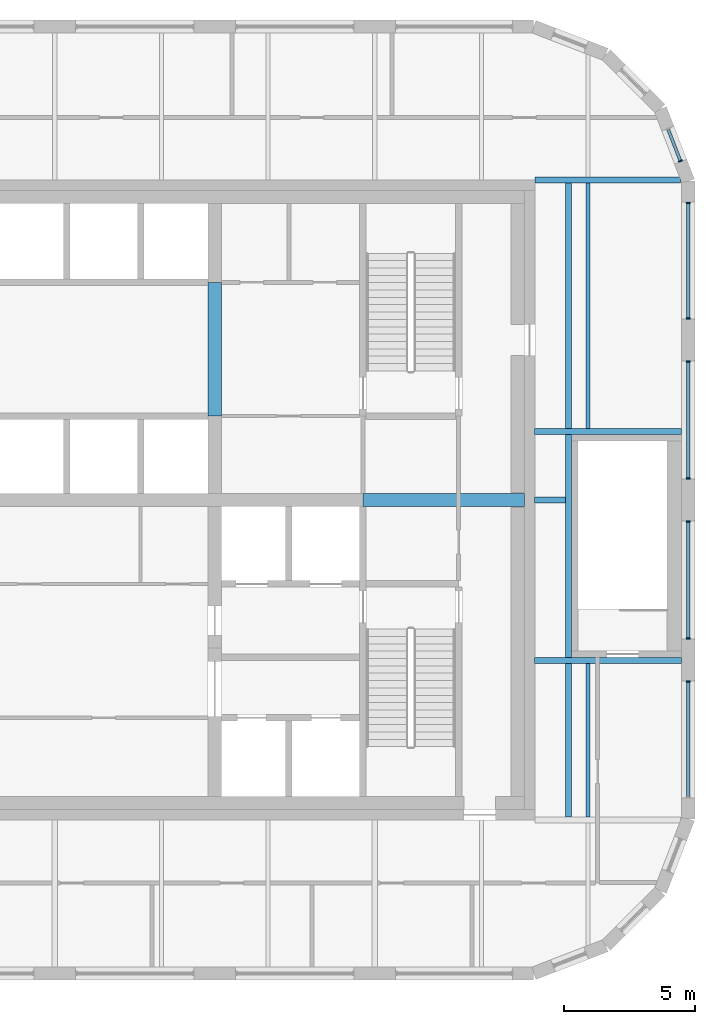
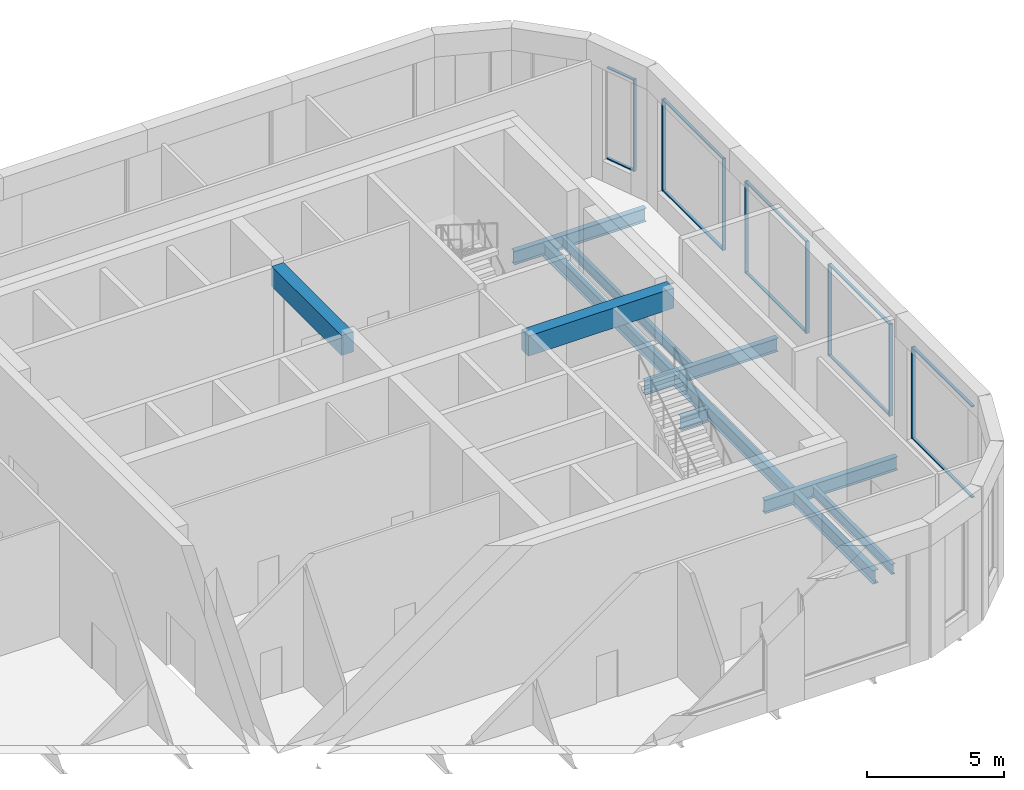
# One storey, part 7 of 19: 18 members, 9 beams, 5 elements without a shape of their own.
"""IFC4 building model written with IfcOpenShell, lengths in metres."""

from ifc_helpers import new_model, si_unit, direction, frame, origin, origin_2d, place, context, subcontext, project, spatial, rectangle, i_section, extrude, material, material_profile, profile_set, type_object, element, aggregate, save


model = new_model("IFC4")

# Units and contexts
model_context = context("Model", 3, precision=1e-05, world=origin(), true_north=direction((0.0, 1.0)))
body_context = subcontext(model_context, "Body", "Model", "MODEL_VIEW")
ifc_project = project(units=[si_unit("LENGTHUNIT", "METRE"), si_unit("AREAUNIT", "SQUARE_METRE"), si_unit("VOLUMEUNIT", "CUBIC_METRE"), si_unit("PLANEANGLEUNIT", "RADIAN"), si_unit("MASSUNIT", "GRAM", prefix="KILO")], contexts=[model_context])

# Site, building, storey
site_placement = place(None, origin())
site = spatial("IfcSite", under=ifc_project, at=site_placement, CompositionType="ELEMENT")
building_placement = place(site_placement, origin())
building = spatial("IfcBuilding", under=site, at=building_placement, Name="Tessera Gate Towers", CompositionType="ELEMENT")
storey_placement = place(building_placement, frame((0.0, 0.0, 259.699951171875)))
storey = spatial("IfcBuildingStorey", under=building, at=storey_placement, Name="L65", CompositionType="ELEMENT", Elevation=259.699951171875)

# Beams
ifc_material_1 = material(Name="Concrete C40/50", Category="concrete")
ifc_material_profile_1 = material_profile(ifc_material_1, rectangle(XDim=0.5, YDim=0.89990234375, at=origin_2d()), Name="RC 500x900")
ifc_profile_set_1 = profile_set([ifc_material_profile_1], Name="Concrete C40/50")
beam_type_1 = type_object("IfcBeamType", Name="COUPLING BEAM 500x900 C40/50", PredefinedType="BEAM", material=ifc_profile_set_1)
beam_1_placement = place(storey_placement, frame((48.35009765625, 36.60009765625, 5.300048828125), z_axis=(1.0, 0.0, 0.0), x_axis=(0.0, 1.0, 0.0)))
element("IfcBeam", 1, at=beam_1_placement, inside=storey, type_object=beam_type_1, Name="L65 coupling beam 1", PredefinedType="BEAM", context=body_context, shape_type="SweptSolid", body=[
    extrude(rectangle(XDim=0.5, YDim=0.89990234375, at=origin_2d()), origin(), (0.0, 0.0, 1.0), 6.14990234375),
])
beam_2_placement = place(storey_placement, frame((42.699951171875, 39.800048828125, 5.300048828125), z_axis=(0.0, 1.0, 0.0), x_axis=(-1.0, 0.0, 0.0)))
element("IfcBeam", 2, at=beam_2_placement, inside=storey, type_object=beam_type_1, Name="L65 coupling beam 2", PredefinedType="BEAM", context=body_context, shape_type="SweptSolid", body=[
    extrude(rectangle(XDim=0.5, YDim=0.89990234375, at=origin_2d()), origin(), (0.0, 0.0, 1.0), 5.099853515625),
])
ifc_material_2 = material(Name="Steel 350W", Category="steel")
ifc_material_profile_2 = material_profile(ifc_material_2, i_section(OverallWidth=0.22802734375, OverallDepth=0.60302734375, WebThickness=0.010498046875, FlangeThickness=0.014892578125, at=origin_2d()), Name="W610x101")
ifc_profile_set_2 = profile_set([ifc_material_profile_2], Name="Steel 350W")
beam_type_2 = type_object("IfcBeamType", Name="FLOOR GIRDER W610x101", PredefinedType="BEAM", material=ifc_profile_set_2)
beam_3_placement = place(storey_placement, frame((54.89892578125, 36.60009765625, -0.551513671875), z_axis=(1.0, 0.0, 0.0), x_axis=(0.0, 1.0, 0.0)))
element("IfcBeam", 3, at=beam_3_placement, inside=storey, type_object=beam_type_2, Name="T1-GD-L65-6315", PredefinedType="BEAM", context=body_context, shape_type="SweptSolid", body=[
    extrude(i_section(OverallWidth=0.22802734375, OverallDepth=0.60302734375, WebThickness=0.010498046875, FlangeThickness=0.014892578125, at=origin_2d()), origin(), (0.0, 0.0, 1.0), 1.1669921875),
])
beam_4_placement = place(storey_placement, frame((54.90087890625, 48.800048828125, -0.551513671875), z_axis=(1.0, 0.0, 0.0), x_axis=(0.0, 1.0, 0.0)))
element("IfcBeam", 4, at=beam_4_placement, inside=storey, type_object=beam_type_2, Name="T1-GD-L65-6319", PredefinedType="BEAM", context=body_context, shape_type="SweptSolid", body=[
    extrude(i_section(OverallWidth=0.22802734375, OverallDepth=0.60302734375, WebThickness=0.010498046875, FlangeThickness=0.014892578125, at=origin_2d()), origin(), (0.0, 0.0, 1.0), 5.564208984375),
])
for number, where, z_axis, x_axis, name in (
    (5, (54.89892578125, 30.47998046875, -0.551513671875), (1.0, 0.0, 0.0), (0.0, 1.0, 0.0), "T1-GD-L65-6332"),
    (6, (54.89892578125, 39.219970703125, -0.551513671875), (1.0, 0.0, 0.0), (0.0, 1.0, 0.0), "T1-GD-L65-6333"),
):
    element("IfcBeam", number, at=place(storey_placement, frame(where, z_axis=z_axis, x_axis=x_axis)), inside=storey, type_object=beam_type_2, Name=name, PredefinedType="BEAM", context=body_context, shape_type="SweptSolid", body=[
        extrude(i_section(OverallWidth=0.22802734375, OverallDepth=0.60302734375, WebThickness=0.010498046875, FlangeThickness=0.014892578125, at=origin_2d()), origin(), (0.0, 0.0, 1.0), 5.60205078125),
    ])
beam_5_placement = place(storey_placement, frame((56.179931640625, 24.513916015625, -0.551513671875), z_axis=(0.0, 1.0, 0.0), x_axis=(-1.0, 0.0, 0.0)))
element("IfcBeam", 7, at=beam_5_placement, inside=storey, type_object=beam_type_2, Name="T1-GD-L65-6334", PredefinedType="BEAM", context=body_context, shape_type="SweptSolid", body=[
    extrude(i_section(OverallWidth=0.22802734375, OverallDepth=0.60302734375, WebThickness=0.010498046875, FlangeThickness=0.014892578125, at=origin_2d()), origin(), (0.0, 0.0, 1.0), 24.172119140625),
])
ifc_material_3 = material(Name="Steel 350W", Category="steel")
ifc_material_profile_3 = material_profile(ifc_material_3, i_section(OverallWidth=0.153076171875, OverallDepth=0.455078125, WebThickness=0.008056640625, FlangeThickness=0.01318359375, at=origin_2d()), Name="W460x60")
ifc_profile_set_3 = profile_set([ifc_material_profile_3], Name="Steel 350W")
beam_type_3 = type_object("IfcBeamType", Name="FLOOR SECONDARY W460x60", PredefinedType="BEAM", material=ifc_profile_set_3)
beam_6_placement = place(storey_placement, frame((56.933349609375, 24.513916015625, -0.4775390625), z_axis=(0.0, 1.0, 0.0), x_axis=(-1.0, 0.0, 0.0)))
element("IfcBeam", 8, at=beam_6_placement, inside=storey, type_object=beam_type_3, Name="T1-BM-L65-6366", PredefinedType="BEAM", context=body_context, shape_type="SweptSolid", body=[
    extrude(i_section(OverallWidth=0.153076171875, OverallDepth=0.455078125, WebThickness=0.008056640625, FlangeThickness=0.01318359375, at=origin_2d()), origin(), (0.0, 0.0, 1.0), 5.85205078125),
])
beam_7_placement = place(storey_placement, frame((56.933349609375, 39.333984375, -0.4775390625), z_axis=(0.0, 1.0, 0.0), x_axis=(-1.0, 0.0, 0.0)))
element("IfcBeam", 9, at=beam_7_placement, inside=storey, type_object=beam_type_3, Name="T1-BM-L65-6367", PredefinedType="BEAM", context=body_context, shape_type="SweptSolid", body=[
    extrude(i_section(OverallWidth=0.153076171875, OverallDepth=0.455078125, WebThickness=0.008056640625, FlangeThickness=0.01318359375, at=origin_2d()), origin(), (0.0, 0.0, 1.0), 9.35205078125),
])

# Curtain wall, member
ifc_material_4 = material(Name="Aluminium frame", Category="aluminium")
curtain_wall_type = type_object("IfcCurtainWallType", Name="CW-S4 observation glass", PredefinedType="NOTDEFINED", material=ifc_material_4)
curtain_wall_1_placement = place(storey_placement, origin())
curtain_wall_1 = element("IfcCurtainWall", 10, at=curtain_wall_1_placement, inside=storey, type_object=curtain_wall_type, Name="Curtain wall observation glass 0097", PredefinedType="NOTDEFINED")
ifc_material_5 = material(Name="Aluminium frame", Category="aluminium")
ifc_material_profile_4 = material_profile(ifc_material_5, rectangle(XDim=0.050048828125, YDim=0.14990234375, at=origin_2d()), Name="AL 50x150")
ifc_profile_set_4 = profile_set([ifc_material_profile_4], Name="Aluminium frame")
member_type_1 = type_object("IfcMemberType", Name="MU-S4 mullion 50x150", PredefinedType="MULLION", material=ifc_profile_set_4)
member_1_placement = place(storey_placement, frame((60.75, 29.675048828125, 0.900146484375), z_axis=(0.0, 0.0, 1.0), x_axis=(0.0, 1.0, 0.0)))
member_1 = element("IfcMember", 11, at=member_1_placement, type_object=member_type_1, Name="T1-CW4-0097 mullion 2", PredefinedType="MULLION", context=body_context, shape_type="SweptSolid", body=[
    extrude(rectangle(XDim=0.050048828125, YDim=0.14990234375, at=origin_2d()), origin(), (0.0, 0.0, 1.0), 4.099853515625),
])

# Curtain wall, members
curtain_wall_2_placement = place(storey_placement, origin())
curtain_wall_2 = element("IfcCurtainWall", 12, at=curtain_wall_2_placement, inside=storey, type_object=curtain_wall_type, Name="Curtain wall observation glass 0098", PredefinedType="NOTDEFINED")
member_2_placement = place(storey_placement, frame((60.75, 31.324951171875, 0.900146484375), z_axis=(0.0, 0.0, 1.0), x_axis=(0.0, 1.0, 0.0)))
member_2 = element("IfcMember", 13, at=member_2_placement, type_object=member_type_1, Name="T1-CW4-0098 mullion 1", PredefinedType="MULLION", context=body_context, shape_type="SweptSolid", body=[
    extrude(rectangle(XDim=0.050048828125, YDim=0.14990234375, at=origin_2d()), origin(), (0.0, 0.0, 1.0), 4.099853515625),
])
member_3_placement = place(storey_placement, frame((60.75, 35.77490234375, 0.900146484375), z_axis=(0.0, 0.0, 1.0), x_axis=(0.0, 1.0, 0.0)))
member_3 = element("IfcMember", 14, at=member_3_placement, type_object=member_type_1, Name="T1-CW4-0098 mullion 2", PredefinedType="MULLION", context=body_context, shape_type="SweptSolid", body=[
    extrude(rectangle(XDim=0.050048828125, YDim=0.14990234375, at=origin_2d()), origin(), (0.0, 0.0, 1.0), 4.099853515625),
])

curtain_wall_3_placement = place(storey_placement, origin())
curtain_wall_3 = element("IfcCurtainWall", 15, at=curtain_wall_3_placement, inside=storey, type_object=curtain_wall_type, Name="Curtain wall observation glass 0099", PredefinedType="NOTDEFINED")
member_4_placement = place(storey_placement, frame((60.75, 37.425048828125, 0.900146484375), z_axis=(0.0, 0.0, 1.0), x_axis=(0.0, 1.0, 0.0)))
member_4 = element("IfcMember", 16, at=member_4_placement, type_object=member_type_1, Name="T1-CW4-0099 mullion 1", PredefinedType="MULLION", context=body_context, shape_type="SweptSolid", body=[
    extrude(rectangle(XDim=0.050048828125, YDim=0.14990234375, at=origin_2d()), origin(), (0.0, 0.0, 1.0), 4.099853515625),
])
member_5_placement = place(storey_placement, frame((60.75, 41.875, 0.900146484375), z_axis=(0.0, 0.0, 1.0), x_axis=(0.0, 1.0, 0.0)))
member_5 = element("IfcMember", 17, at=member_5_placement, type_object=member_type_1, Name="T1-CW4-0099 mullion 2", PredefinedType="MULLION", context=body_context, shape_type="SweptSolid", body=[
    extrude(rectangle(XDim=0.050048828125, YDim=0.14990234375, at=origin_2d()), origin(), (0.0, 0.0, 1.0), 4.099853515625),
])

curtain_wall_4_placement = place(storey_placement, origin())
curtain_wall_4 = element("IfcCurtainWall", 18, at=curtain_wall_4_placement, inside=storey, type_object=curtain_wall_type, Name="Curtain wall observation glass 0100", PredefinedType="NOTDEFINED")
member_6_placement = place(storey_placement, frame((60.75, 43.52490234375, 0.900146484375), z_axis=(0.0, 0.0, 1.0), x_axis=(0.0, 1.0, 0.0)))
member_6 = element("IfcMember", 19, at=member_6_placement, type_object=member_type_1, Name="T1-CW4-0100 mullion 1", PredefinedType="MULLION", context=body_context, shape_type="SweptSolid", body=[
    extrude(rectangle(XDim=0.050048828125, YDim=0.14990234375, at=origin_2d()), origin(), (0.0, 0.0, 1.0), 4.099853515625),
])
member_7_placement = place(storey_placement, frame((60.75, 47.928466796875, 0.900146484375), z_axis=(0.0, 0.0, 1.0), x_axis=(0.0, 1.0, 0.0)))
member_7 = element("IfcMember", 20, at=member_7_placement, type_object=member_type_1, Name="T1-CW4-0100 mullion 2", PredefinedType="MULLION", context=body_context, shape_type="SweptSolid", body=[
    extrude(rectangle(XDim=0.050048828125, YDim=0.14990234375, at=origin_2d()), origin(), (0.0, 0.0, 1.0), 4.099853515625),
])

# Curtain wall, member
curtain_wall_5_placement = place(storey_placement, origin())
curtain_wall_5 = element("IfcCurtainWall", 21, at=curtain_wall_5_placement, inside=storey, type_object=curtain_wall_type, Name="Curtain wall observation glass 0101", PredefinedType="NOTDEFINED")
member_8_placement = place(storey_placement, frame((60.453125, 49.523193359375, 0.900146484375), z_axis=(0.0, 0.0, 1.0), x_axis=(-0.359904070394, 0.932989314041, 0.0)))
member_8 = element("IfcMember", 22, at=member_8_placement, type_object=member_type_1, Name="T1-CW4-0101 mullion 1", PredefinedType="MULLION", context=body_context, shape_type="SweptSolid", body=[
    extrude(rectangle(XDim=0.050048828125, YDim=0.14990234375, at=origin_2d()), origin(), (0.0, 0.0, 1.0), 4.099853515625),
])

# Member
ifc_material_6 = material(Name="Aluminium frame", Category="aluminium")
ifc_material_profile_5 = material_profile(ifc_material_6, rectangle(XDim=0.1201171875, YDim=0.050048828125, at=origin_2d()), Name="AL 50x120")
ifc_profile_set_5 = profile_set([ifc_material_profile_5], Name="Aluminium frame")
member_type_2 = type_object("IfcMemberType", Name="TR-S4 transom 50x120", PredefinedType="USERDEFINED", material=ifc_profile_set_5)
member_9_placement = place(storey_placement, frame((60.75, 25.296630859375, 0.925048828125), z_axis=(0.0, 1.0, 0.0), x_axis=(-1.0, 0.0, 0.0)))
member_9 = element("IfcMember", 23, at=member_9_placement, type_object=member_type_2, Name="T1-CW4-0097 transom 1.1", ObjectType="TRANSOM", PredefinedType="USERDEFINED", context=body_context, shape_type="SweptSolid", body=[
    extrude(rectangle(XDim=0.1201171875, YDim=0.050048828125, at=origin_2d()), origin(), (0.0, 0.0, 1.0), 4.353271484375),
])

member_10_placement = place(storey_placement, frame((60.75, 25.296630859375, 4.97509765625), z_axis=(0.0, 1.0, 0.0), x_axis=(-1.0, 0.0, 0.0)))
member_10 = element("IfcMember", 24, at=member_10_placement, type_object=member_type_2, Name="T1-CW4-0097 transom 1.2", ObjectType="TRANSOM", PredefinedType="USERDEFINED", context=body_context, shape_type="SweptSolid", body=[
    extrude(rectangle(XDim=0.1201171875, YDim=0.050048828125, at=origin_2d()), origin(), (0.0, 0.0, 1.0), 4.353271484375),
])

aggregate(curtain_wall_1, [member_1, member_9, member_10])

member_11_placement = place(storey_placement, frame((60.75, 31.35009765625, 0.925048828125), z_axis=(0.0, 1.0, 0.0), x_axis=(-1.0, 0.0, 0.0)))
member_11 = element("IfcMember", 25, at=member_11_placement, type_object=member_type_2, Name="T1-CW4-0098 transom 1.1", ObjectType="TRANSOM", PredefinedType="USERDEFINED", context=body_context, shape_type="SweptSolid", body=[
    extrude(rectangle(XDim=0.1201171875, YDim=0.050048828125, at=origin_2d()), origin(), (0.0, 0.0, 1.0), 4.39990234375),
])

member_12_placement = place(storey_placement, frame((60.75, 31.35009765625, 4.97509765625), z_axis=(0.0, 1.0, 0.0), x_axis=(-1.0, 0.0, 0.0)))
member_12 = element("IfcMember", 26, at=member_12_placement, type_object=member_type_2, Name="T1-CW4-0098 transom 1.2", ObjectType="TRANSOM", PredefinedType="USERDEFINED", context=body_context, shape_type="SweptSolid", body=[
    extrude(rectangle(XDim=0.1201171875, YDim=0.050048828125, at=origin_2d()), origin(), (0.0, 0.0, 1.0), 4.39990234375),
])

aggregate(curtain_wall_2, [member_2, member_3, member_11, member_12])

member_13_placement = place(storey_placement, frame((60.75, 37.449951171875, 0.925048828125), z_axis=(0.0, 1.0, 0.0), x_axis=(-1.0, 0.0, 0.0)))
member_13 = element("IfcMember", 27, at=member_13_placement, type_object=member_type_2, Name="T1-CW4-0099 transom 1.1", ObjectType="TRANSOM", PredefinedType="USERDEFINED", context=body_context, shape_type="SweptSolid", body=[
    extrude(rectangle(XDim=0.1201171875, YDim=0.050048828125, at=origin_2d()), origin(), (0.0, 0.0, 1.0), 4.400146484375),
])

member_14_placement = place(storey_placement, frame((60.75, 37.449951171875, 4.97509765625), z_axis=(0.0, 1.0, 0.0), x_axis=(-1.0, 0.0, 0.0)))
member_14 = element("IfcMember", 28, at=member_14_placement, type_object=member_type_2, Name="T1-CW4-0099 transom 1.2", ObjectType="TRANSOM", PredefinedType="USERDEFINED", context=body_context, shape_type="SweptSolid", body=[
    extrude(rectangle(XDim=0.1201171875, YDim=0.050048828125, at=origin_2d()), origin(), (0.0, 0.0, 1.0), 4.400146484375),
])

aggregate(curtain_wall_3, [member_4, member_5, member_13, member_14])

member_15_placement = place(storey_placement, frame((60.75, 43.550048828125, 0.925048828125), z_axis=(0.0, 1.0, 0.0), x_axis=(-1.0, 0.0, 0.0)))
member_15 = element("IfcMember", 29, at=member_15_placement, type_object=member_type_2, Name="T1-CW4-0100 transom 1.1", ObjectType="TRANSOM", PredefinedType="USERDEFINED", context=body_context, shape_type="SweptSolid", body=[
    extrude(rectangle(XDim=0.1201171875, YDim=0.050048828125, at=origin_2d()), origin(), (0.0, 0.0, 1.0), 4.353515625),
])

member_16_placement = place(storey_placement, frame((60.75, 43.550048828125, 4.97509765625), z_axis=(0.0, 1.0, 0.0), x_axis=(-1.0, 0.0, 0.0)))
member_16 = element("IfcMember", 30, at=member_16_placement, type_object=member_type_2, Name="T1-CW4-0100 transom 1.2", ObjectType="TRANSOM", PredefinedType="USERDEFINED", context=body_context, shape_type="SweptSolid", body=[
    extrude(rectangle(XDim=0.1201171875, YDim=0.050048828125, at=origin_2d()), origin(), (0.0, 0.0, 1.0), 4.353515625),
])

aggregate(curtain_wall_4, [member_6, member_7, member_15, member_16])

member_17_placement = place(storey_placement, frame((60.444091796875, 49.54638671875, 0.925048828125), z_axis=(-0.35998616656, 0.932957640992, 0.0), x_axis=(-0.932957640992, -0.35998616656, 0.0)))
member_17 = element("IfcMember", 31, at=member_17_placement, type_object=member_type_2, Name="T1-CW4-0101 transom 1.1", ObjectType="TRANSOM", PredefinedType="USERDEFINED", context=body_context, shape_type="SweptSolid", body=[
    extrude(rectangle(XDim=0.1201171875, YDim=0.050048828125, at=origin_2d()), origin(), (0.0, 0.0, 1.0), 1.25048828125),
])

member_18_placement = place(storey_placement, frame((60.444091796875, 49.54638671875, 4.97509765625), z_axis=(-0.35998616656, 0.932957640992, 0.0), x_axis=(-0.932957640992, -0.35998616656, 0.0)))
member_18 = element("IfcMember", 32, at=member_18_placement, type_object=member_type_2, Name="T1-CW4-0101 transom 1.2", ObjectType="TRANSOM", PredefinedType="USERDEFINED", context=body_context, shape_type="SweptSolid", body=[
    extrude(rectangle(XDim=0.1201171875, YDim=0.050048828125, at=origin_2d()), origin(), (0.0, 0.0, 1.0), 1.25048828125),
])

aggregate(curtain_wall_5, [member_8, member_17, member_18])

save(model, "model.ifc")
